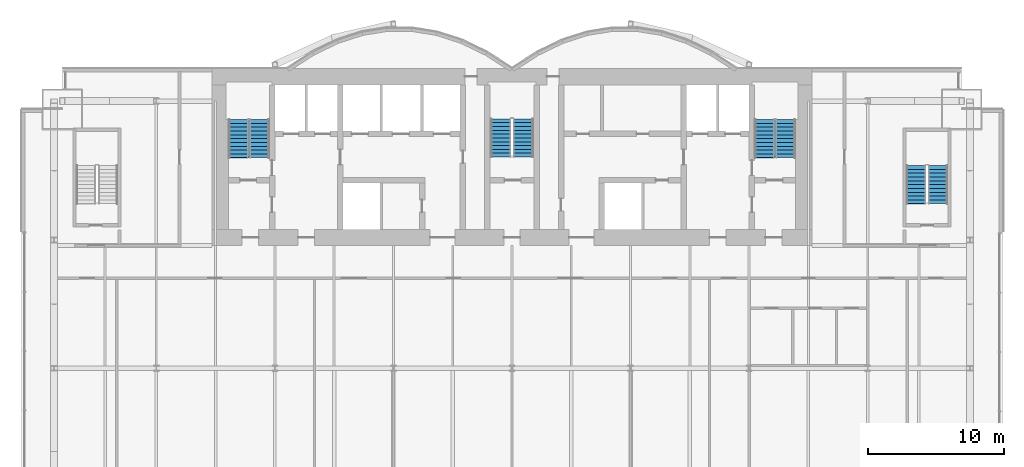
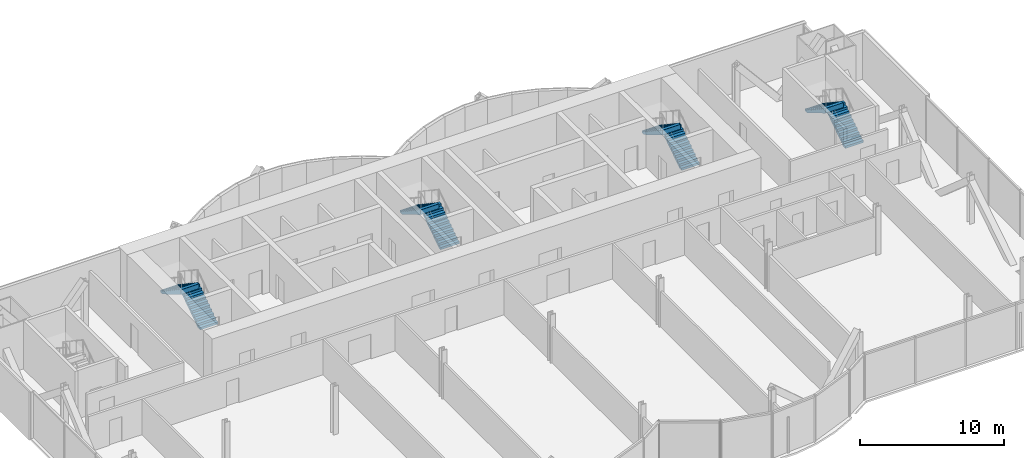
# One storey, part 18 of 21: 8 stair flights, 4 elements without a shape of their own.
"""IFC4 building model written with IfcOpenShell, lengths in metres."""

from ifc_helpers import new_model, si_unit, direction, frame, origin, place, context, subcontext, project, spatial, polyline, outline, extrude, material, type_object, element, aggregate, save


model = new_model("IFC4")

# Units and contexts
model_context = context("Model", 3, precision=1e-05, world=origin(), true_north=direction((0.0, 1.0)))
body_context = subcontext(model_context, "Body", "Model", "MODEL_VIEW")
ifc_project = project(units=[si_unit("LENGTHUNIT", "METRE"), si_unit("AREAUNIT", "SQUARE_METRE"), si_unit("VOLUMEUNIT", "CUBIC_METRE"), si_unit("PLANEANGLEUNIT", "RADIAN"), si_unit("MASSUNIT", "GRAM", prefix="KILO")], contexts=[model_context])

# Site, building, storey
site_placement = place(None, origin())
site = spatial("IfcSite", under=ifc_project, at=site_placement, CompositionType="ELEMENT")
building_placement = place(site_placement, origin())
building = spatial("IfcBuilding", under=site, at=building_placement, Name="Bicima Exchange Tower", CompositionType="ELEMENT")
storey_placement = place(building_placement, frame((0.0, 0.0, 122.699951171875)))
storey = spatial("IfcBuildingStorey", under=building, at=storey_placement, Name="L26", CompositionType="ELEMENT", Elevation=122.699951171875)

# Stair, stair flights
ifc_material = material(Name="Concrete C50/60", Category="concrete")
stair_type_1 = type_object("IfcStairType", Name="Exit stair", PredefinedType="HALF_TURN_STAIR", material=ifc_material)
stair_1_placement = place(storey_placement, origin())
stair_1 = element("IfcStair", 1, at=stair_1_placement, inside=storey, type_object=stair_type_1, Name="L26 West exit stair", PredefinedType="HALF_TURN_STAIR")
stair_flight_type_1 = type_object("IfcStairFlightType", Name="Stair flight RC", PredefinedType="STRAIGHT", material=ifc_material)
stair_flight_1_placement = place(storey_placement, frame((-18.52490234375, -6.550048828125, 0.0), z_axis=(0.0, 0.0, 1.0), x_axis=(0.0, 1.0, 0.0)))
stair_flight_1 = element("IfcStairFlight", 2, at=stair_flight_1_placement, type_object=stair_flight_type_1, Name="ST-W flight 1", NumberOfRisers=11, NumberOfTreads=10, PredefinedType="STRAIGHT", RiserHeight=0.186363636, TreadLength=0.28, context=body_context, shape_type="SweptSolid", body=[
    extrude(outline(polyline([(0.0, 0.0), (0.0, 0.186279296875), (0.280029296875, 0.186279296875), (0.280029296875, 0.372802734375), (0.56005859375, 0.372802734375), (0.56005859375, 0.55908203125), (0.840087890625, 0.55908203125), (0.840087890625, 0.745361328125), (1.1201171875, 0.745361328125), (1.1201171875, 0.931884765625), (1.39990234375, 0.931884765625), (1.39990234375, 1.1181640625), (1.679931640625, 1.1181640625), (1.679931640625, 1.304443359375), (1.9599609375, 1.304443359375), (1.9599609375, 1.490966796875), (2.239990234375, 1.490966796875), (2.239990234375, 1.67724609375), (2.52001953125, 1.67724609375), (2.52001953125, 1.863525390625), (2.800048828125, 1.863525390625), (2.800048828125, 2.050048828125), (2.800048828125, 1.68359375), (0.2705078125, 0.0), (0.0, 0.0)])), frame((0.0, 0.72509765625, 0.0), z_axis=(0.0, -1.0, 0.0), x_axis=(1.0, 0.0, 0.0)), (0.0, 0.0, 1.0), 1.449951171875),
])
stair_flight_2_placement = place(storey_placement, frame((-20.074951171875, -3.75, 2.050048828125), z_axis=(0.0, 0.0, 1.0), x_axis=(0.0, -1.0, 0.0)))
stair_flight_2 = element("IfcStairFlight", 3, at=stair_flight_2_placement, type_object=stair_flight_type_1, Name="ST-W flight 2", NumberOfRisers=11, NumberOfTreads=10, PredefinedType="STRAIGHT", RiserHeight=0.186363636, TreadLength=0.28, context=body_context, shape_type="SweptSolid", body=[
    extrude(outline(polyline([(0.0, 0.0), (0.0, 0.186279296875), (0.280029296875, 0.186279296875), (0.280029296875, 0.372802734375), (0.56005859375, 0.372802734375), (0.56005859375, 0.55908203125), (0.840087890625, 0.55908203125), (0.840087890625, 0.745361328125), (1.1201171875, 0.745361328125), (1.1201171875, 0.931884765625), (1.39990234375, 0.931884765625), (1.39990234375, 1.1181640625), (1.679931640625, 1.1181640625), (1.679931640625, 1.304443359375), (1.9599609375, 1.304443359375), (1.9599609375, 1.490966796875), (2.239990234375, 1.490966796875), (2.239990234375, 1.67724609375), (2.52001953125, 1.67724609375), (2.52001953125, 1.863525390625), (2.800048828125, 1.863525390625), (2.800048828125, 1.904052734375), (2.81494140625, 1.904052734375), (2.81494140625, 1.507080078125), (0.2705078125, 0.0), (0.0, 0.0)])), frame((0.0, 0.72509765625, 0.0), z_axis=(0.0, -1.0, 0.0), x_axis=(1.0, 0.0, 0.0)), (0.0, 0.0, 1.0), 1.449951171875),
])
aggregate(stair_1, [stair_flight_1, stair_flight_2])

stair_2_placement = place(storey_placement, origin())
stair_2 = element("IfcStair", 4, at=stair_2_placement, inside=storey, type_object=stair_type_1, Name="L26 East exit stair", PredefinedType="HALF_TURN_STAIR")
stair_flight_3_placement = place(storey_placement, frame((20.074951171875, -6.550048828125, 0.0), z_axis=(0.0, 0.0, 1.0), x_axis=(0.0, 1.0, 0.0)))
stair_flight_3 = element("IfcStairFlight", 5, at=stair_flight_3_placement, type_object=stair_flight_type_1, Name="ST-E flight 1", NumberOfRisers=11, NumberOfTreads=10, PredefinedType="STRAIGHT", RiserHeight=0.186363636, TreadLength=0.28, context=body_context, shape_type="SweptSolid", body=[
    extrude(outline(polyline([(0.0, 0.0), (0.0, 0.186279296875), (0.280029296875, 0.186279296875), (0.280029296875, 0.372802734375), (0.56005859375, 0.372802734375), (0.56005859375, 0.55908203125), (0.840087890625, 0.55908203125), (0.840087890625, 0.745361328125), (1.1201171875, 0.745361328125), (1.1201171875, 0.931884765625), (1.39990234375, 0.931884765625), (1.39990234375, 1.1181640625), (1.679931640625, 1.1181640625), (1.679931640625, 1.304443359375), (1.9599609375, 1.304443359375), (1.9599609375, 1.490966796875), (2.239990234375, 1.490966796875), (2.239990234375, 1.67724609375), (2.52001953125, 1.67724609375), (2.52001953125, 1.863525390625), (2.800048828125, 1.863525390625), (2.800048828125, 2.050048828125), (2.800048828125, 1.68359375), (0.2705078125, 0.0), (0.0, 0.0)])), frame((0.0, 0.72509765625, 0.0), z_axis=(0.0, -1.0, 0.0), x_axis=(1.0, 0.0, 0.0)), (0.0, 0.0, 1.0), 1.449951171875),
])
stair_flight_4_placement = place(storey_placement, frame((18.52490234375, -3.75, 2.050048828125), z_axis=(0.0, 0.0, 1.0), x_axis=(0.0, -1.0, 0.0)))
stair_flight_4 = element("IfcStairFlight", 6, at=stair_flight_4_placement, type_object=stair_flight_type_1, Name="ST-E flight 2", NumberOfRisers=11, NumberOfTreads=10, PredefinedType="STRAIGHT", RiserHeight=0.186363636, TreadLength=0.28, context=body_context, shape_type="SweptSolid", body=[
    extrude(outline(polyline([(0.0, 0.0), (0.0, 0.186279296875), (0.280029296875, 0.186279296875), (0.280029296875, 0.372802734375), (0.56005859375, 0.372802734375), (0.56005859375, 0.55908203125), (0.840087890625, 0.55908203125), (0.840087890625, 0.745361328125), (1.1201171875, 0.745361328125), (1.1201171875, 0.931884765625), (1.39990234375, 0.931884765625), (1.39990234375, 1.1181640625), (1.679931640625, 1.1181640625), (1.679931640625, 1.304443359375), (1.9599609375, 1.304443359375), (1.9599609375, 1.490966796875), (2.239990234375, 1.490966796875), (2.239990234375, 1.67724609375), (2.52001953125, 1.67724609375), (2.52001953125, 1.863525390625), (2.800048828125, 1.863525390625), (2.800048828125, 1.904052734375), (2.81494140625, 1.904052734375), (2.81494140625, 1.507080078125), (0.2705078125, 0.0), (0.0, 0.0)])), frame((0.0, 0.72509765625, 0.0), z_axis=(0.0, -1.0, 0.0), x_axis=(1.0, 0.0, 0.0)), (0.0, 0.0, 1.0), 1.449951171875),
])
aggregate(stair_2, [stair_flight_3, stair_flight_4])

stair_3_placement = place(storey_placement, origin())
stair_3 = element("IfcStair", 7, at=stair_3_placement, inside=storey, type_object=stair_type_1, Name="L26 East end exit stair", PredefinedType="HALF_TURN_STAIR")
stair_flight_5_placement = place(storey_placement, frame((31.25, -9.925048828125, 0.0), z_axis=(0.0, 0.0, 1.0), x_axis=(0.0, 1.0, 0.0)))
stair_flight_5 = element("IfcStairFlight", 8, at=stair_flight_5_placement, type_object=stair_flight_type_1, Name="ST-EE flight 1", NumberOfRisers=11, NumberOfTreads=10, PredefinedType="STRAIGHT", RiserHeight=0.186363636, TreadLength=0.28, context=body_context, shape_type="SweptSolid", body=[
    extrude(outline(polyline([(0.0, 0.0), (0.0, 0.186279296875), (0.280029296875, 0.186279296875), (0.280029296875, 0.372802734375), (0.56005859375, 0.372802734375), (0.56005859375, 0.55908203125), (0.840087890625, 0.55908203125), (0.840087890625, 0.745361328125), (1.1201171875, 0.745361328125), (1.1201171875, 0.931884765625), (1.39990234375, 0.931884765625), (1.39990234375, 1.1181640625), (1.679931640625, 1.1181640625), (1.679931640625, 1.304443359375), (1.9599609375, 1.304443359375), (1.9599609375, 1.490966796875), (2.239990234375, 1.490966796875), (2.239990234375, 1.67724609375), (2.52001953125, 1.67724609375), (2.52001953125, 1.863525390625), (2.800048828125, 1.863525390625), (2.800048828125, 2.050048828125), (2.800048828125, 1.68359375), (0.2705078125, 0.0), (0.0, 0.0)])), frame((0.0, 0.72509765625, 0.0), z_axis=(0.0, -1.0, 0.0), x_axis=(1.0, 0.0, 0.0)), (0.0, 0.0, 1.0), 1.449951171875),
])
stair_flight_6_placement = place(storey_placement, frame((29.64990234375, -7.125, 2.050048828125), z_axis=(0.0, 0.0, 1.0), x_axis=(0.0, -1.0, 0.0)))
stair_flight_6 = element("IfcStairFlight", 9, at=stair_flight_6_placement, type_object=stair_flight_type_1, Name="ST-EE flight 2", NumberOfRisers=11, NumberOfTreads=10, PredefinedType="STRAIGHT", RiserHeight=0.186363636, TreadLength=0.28, context=body_context, shape_type="SweptSolid", body=[
    extrude(outline(polyline([(0.0, 0.0), (0.0, 0.186279296875), (0.280029296875, 0.186279296875), (0.280029296875, 0.372802734375), (0.56005859375, 0.372802734375), (0.56005859375, 0.55908203125), (0.840087890625, 0.55908203125), (0.840087890625, 0.745361328125), (1.1201171875, 0.745361328125), (1.1201171875, 0.931884765625), (1.39990234375, 0.931884765625), (1.39990234375, 1.1181640625), (1.679931640625, 1.1181640625), (1.679931640625, 1.304443359375), (1.9599609375, 1.304443359375), (1.9599609375, 1.490966796875), (2.239990234375, 1.490966796875), (2.239990234375, 1.67724609375), (2.52001953125, 1.67724609375), (2.52001953125, 1.863525390625), (2.800048828125, 1.863525390625), (2.800048828125, 1.904052734375), (2.81494140625, 1.904052734375), (2.81494140625, 1.507080078125), (0.2705078125, 0.0), (0.0, 0.0)])), frame((0.0, 0.72509765625, 0.0), z_axis=(0.0, -1.0, 0.0), x_axis=(1.0, 0.0, 0.0)), (0.0, 0.0, 1.0), 1.449951171875),
])
aggregate(stair_3, [stair_flight_5, stair_flight_6])

stair_type_2 = type_object("IfcStairType", Name="Exit stair 1500", PredefinedType="HALF_TURN_STAIR", material=ifc_material)
stair_4_placement = place(storey_placement, origin())
stair_4 = element("IfcStair", 10, at=stair_4_placement, inside=storey, type_object=stair_type_2, Name="L26 Central exit stair", PredefinedType="HALF_TURN_STAIR")
stair_flight_type_2 = type_object("IfcStairFlightType", Name="Stair flight RC 1500", PredefinedType="STRAIGHT", material=ifc_material)
stair_flight_7_placement = place(storey_placement, frame((0.824951171875, -6.5, 0.0), z_axis=(0.0, 0.0, 1.0), x_axis=(0.0, 1.0, 0.0)))
stair_flight_7 = element("IfcStairFlight", 11, at=stair_flight_7_placement, type_object=stair_flight_type_2, Name="ST-C flight 1", NumberOfRisers=11, NumberOfTreads=10, PredefinedType="STRAIGHT", RiserHeight=0.186363636, TreadLength=0.28, context=body_context, shape_type="SweptSolid", body=[
    extrude(outline(polyline([(0.0, 0.0), (0.0, 0.186279296875), (0.280029296875, 0.186279296875), (0.280029296875, 0.372802734375), (0.56005859375, 0.372802734375), (0.56005859375, 0.55908203125), (0.840087890625, 0.55908203125), (0.840087890625, 0.745361328125), (1.1201171875, 0.745361328125), (1.1201171875, 0.931884765625), (1.39990234375, 0.931884765625), (1.39990234375, 1.1181640625), (1.679931640625, 1.1181640625), (1.679931640625, 1.304443359375), (1.9599609375, 1.304443359375), (1.9599609375, 1.490966796875), (2.239990234375, 1.490966796875), (2.239990234375, 1.67724609375), (2.52001953125, 1.67724609375), (2.52001953125, 1.863525390625), (2.800048828125, 1.863525390625), (2.800048828125, 2.050048828125), (2.800048828125, 1.68359375), (0.2705078125, 0.0), (0.0, 0.0)])), frame((0.0, 0.75, 0.0), z_axis=(0.0, -1.0, 0.0), x_axis=(1.0, 0.0, 0.0)), (0.0, 0.0, 1.0), 1.5),
])
stair_flight_8_placement = place(storey_placement, frame((-0.824951171875, -3.699951171875, 2.050048828125), z_axis=(0.0, 0.0, 1.0), x_axis=(0.0, -1.0, 0.0)))
stair_flight_8 = element("IfcStairFlight", 12, at=stair_flight_8_placement, type_object=stair_flight_type_2, Name="ST-C flight 2", NumberOfRisers=11, NumberOfTreads=10, PredefinedType="STRAIGHT", RiserHeight=0.186363636, TreadLength=0.28, context=body_context, shape_type="SweptSolid", body=[
    extrude(outline(polyline([(0.0, 0.0), (0.0, 0.186279296875), (0.280029296875, 0.186279296875), (0.280029296875, 0.372802734375), (0.56005859375, 0.372802734375), (0.56005859375, 0.55908203125), (0.840087890625, 0.55908203125), (0.840087890625, 0.745361328125), (1.1201171875, 0.745361328125), (1.1201171875, 0.931884765625), (1.39990234375, 0.931884765625), (1.39990234375, 1.1181640625), (1.679931640625, 1.1181640625), (1.679931640625, 1.304443359375), (1.9599609375, 1.304443359375), (1.9599609375, 1.490966796875), (2.239990234375, 1.490966796875), (2.239990234375, 1.67724609375), (2.52001953125, 1.67724609375), (2.52001953125, 1.863525390625), (2.800048828125, 1.863525390625), (2.800048828125, 1.904052734375), (2.81494140625, 1.904052734375), (2.81494140625, 1.507080078125), (0.2705078125, 0.0), (0.0, 0.0)])), frame((0.0, 0.75, 0.0), z_axis=(0.0, -1.0, 0.0), x_axis=(1.0, 0.0, 0.0)), (0.0, 0.0, 1.0), 1.5),
])
aggregate(stair_4, [stair_flight_7, stair_flight_8])

save(model, "model.ifc")
